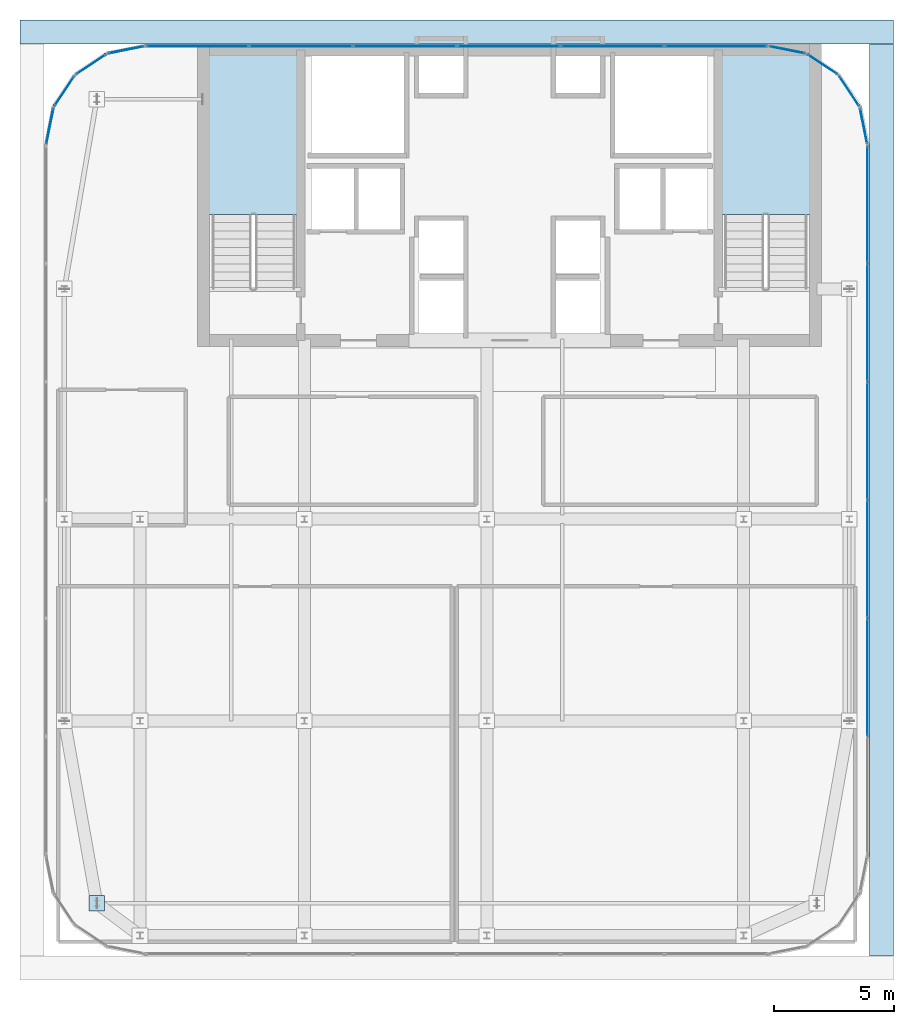
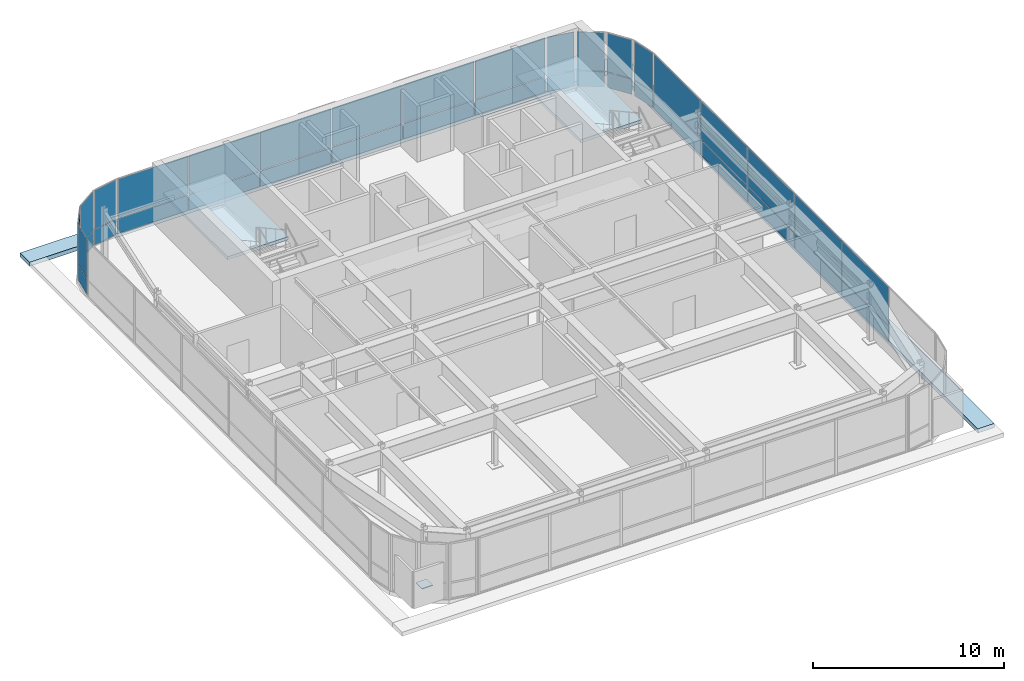
# One storey, part 28 of 35: 39 plates, 4 slabs, 12 elements without a shape of their own.
"""IFC4 building model written with IfcOpenShell, lengths in metres."""

from ifc_helpers import new_model, si_unit, direction, frame, origin, origin_2d, place, context, subcontext, project, spatial, polyline, rectangle, outline, extrude, source, transform, mapped, material, layer, layer_set, type_object, type_shapes, element, aggregate, save


model = new_model("IFC4")

# Units and contexts
model_context = context("Model", 3, precision=1e-05, world=origin(), true_north=direction((0.0, 1.0)))
body_context = subcontext(model_context, "Body", "Model", "MODEL_VIEW")
ifc_project = project(units=[si_unit("LENGTHUNIT", "METRE"), si_unit("AREAUNIT", "SQUARE_METRE"), si_unit("VOLUMEUNIT", "CUBIC_METRE"), si_unit("PLANEANGLEUNIT", "RADIAN"), si_unit("MASSUNIT", "GRAM", prefix="KILO")], contexts=[model_context])

# Site, building, storey
site_placement = place(None, origin())
site = spatial("IfcSite", under=ifc_project, at=site_placement, CompositionType="ELEMENT")
building_placement = place(site_placement, origin())
building = spatial("IfcBuilding", under=site, at=building_placement, Name="Tolvann Quenvar Hotel", CompositionType="ELEMENT")
storey_placement = place(building_placement, frame((0.0, 0.0, 290.949951171875)))
storey = spatial("IfcBuildingStorey", under=building, at=storey_placement, Name="L77", CompositionType="ELEMENT", Elevation=290.949951171875)

# Stair, slab
ifc_material_1 = material(Name="Concrete N40 (40 MPa)", Category="concrete")
stair_type = type_object("IfcStairType", Name="STAIR", PredefinedType="HALF_TURN_STAIR", material=ifc_material_1)
stair_1_placement = place(storey_placement, origin())
stair_1 = element("IfcStair", 1, at=stair_1_placement, inside=storey, type_object=stair_type, Name="L77 ST-C1", PredefinedType="HALF_TURN_STAIR")
ifc_layer_1 = layer(ifc_material_1, 0.199951171875)
ifc_layer_set_1 = layer_set([ifc_layer_1], Name="Concrete N40 (40 MPa)")
slab_type_1 = type_object("IfcSlabType", Name="SLAB_LANDING", PredefinedType="LANDING", material=ifc_layer_set_1)
slab_1_placement = place(storey_placement, frame((0.0, 0.0, 1.699951171875)))
slab_1 = element("IfcSlab", 2, at=slab_1_placement, type_object=slab_type_1, Name="ST-C1 landing 1", PredefinedType="LANDING", context=body_context, shape_type="SweptSolid", body=[
    extrude(outline(polyline([(14.179931640625, 37.10498046875), (14.179931640625, 43.8798828125), (10.469970703125, 43.8798828125), (10.469970703125, 37.10498046875), (14.179931640625, 37.10498046875)])), origin(), (0.0, 0.0, 1.0), 0.2001953125),
])
aggregate(stair_1, [slab_1])

stair_2_placement = place(storey_placement, origin())
stair_2 = element("IfcStair", 3, at=stair_2_placement, inside=storey, type_object=stair_type, Name="L77 ST-C2", PredefinedType="HALF_TURN_STAIR")
slab_2_placement = place(storey_placement, frame((0.0, 0.0, 1.699951171875)))
slab_2 = element("IfcSlab", 4, at=slab_2_placement, type_object=slab_type_1, Name="ST-C2 landing 1", PredefinedType="LANDING", context=body_context, shape_type="SweptSolid", body=[
    extrude(outline(polyline([(35.530029296875, 37.10498046875), (35.530029296875, 43.8798828125), (31.820068359375, 43.8798828125), (31.820068359375, 37.10498046875), (35.530029296875, 37.10498046875)])), origin(), (0.0, 0.0, 1.0), 0.2001953125),
])
aggregate(stair_2, [slab_2])

# Slabs
ifc_material_2 = material(Name="Concrete N50 (50 MPa)", Category="concrete")
ifc_layer_2 = layer(ifc_material_2, 0.260009765625)
ifc_layer_set_2 = layer_set([ifc_layer_2], Name="Concrete N50 (50 MPa)")
slab_type_2 = type_object("IfcSlabType", Name="SLAB_TER_260", PredefinedType="ROOF", material=ifc_layer_set_2)
slab_3_placement = place(storey_placement, frame((0.0, 0.0, -0.260009765625)))
element("IfcSlab", 5, at=slab_3_placement, inside=storey, type_object=slab_type_2, Name="Step-in Roof Cap (ROOF-L77-N)", PredefinedType="ROOF", context=body_context, shape_type="SweptSolid", body=[
    extrude(outline(polyline([(2.60009765625, 44.199951171875), (39.0, 44.199951171875), (39.0, 45.199951171875), (2.60009765625, 45.199951171875), (2.60009765625, 44.199951171875)])), origin(), (0.0, 0.0, 1.0), 0.260009765625),
])
slab_4_placement = place(storey_placement, frame((0.0, 0.0, -0.260009765625)))
element("IfcSlab", 6, at=slab_4_placement, inside=storey, type_object=slab_type_2, Name="Step-in Roof Cap (ROOF-L77-E)", PredefinedType="ROOF", context=body_context, shape_type="SweptSolid", body=[
    extrude(outline(polyline([(38.0, 6.199951171875), (39.0, 6.199951171875), (39.0, 44.199951171875), (38.0, 44.199951171875), (38.0, 6.199951171875)])), origin(), (0.0, 0.0, 1.0), 0.260009765625),
])

# Plate
ifc_material_3 = material(Name="Steel Grade 350", Category="steel")
ifc_layer_3 = layer(ifc_material_3, 0.050048828125)
ifc_layer_set_3 = layer_set([ifc_layer_3], Name="Steel Grade 350")
plate_type_1 = type_object("IfcPlateType", Name="PLT_BASE_50", PredefinedType="SHEET", material=ifc_layer_set_3)
shared_shape_1 = source(origin(), body_context, "Body", "SweptSolid", [
    extrude(rectangle(XDim=0.64990234375, YDim=0.64990234375, at=origin_2d()), origin(), (0.0, 0.0, 1.0), 0.050048828125),
])
type_shapes(plate_type_1, [shared_shape_1])
plate_1_placement = place(storey_placement, frame((5.800048828125, 8.39990234375, 0.0), z_axis=(0.0, 0.0, 1.0), x_axis=(1.0, 0.0, 0.0)))
element("IfcPlate", 7, at=plate_1_placement, inside=storey, type_object=plate_type_1, Name="Crown Frame Base Plate B2", PredefinedType="SHEET", context=body_context, shape_type="MappedRepresentation", body=[
    mapped(shared_shape_1, transform((0.0, 0.0, 0.0), x_axis=(1.0, 0.0, 0.0), y_axis=(0.0, 1.0, 0.0), z_axis=(0.0, 0.0, 1.0), scale=1.0)),
])

# Curtain wall, plate
ifc_material_4 = material(Name="Thermally broken anodised architectural aluminium 6063-T6 and laminated low-E glass", Category="aluminium")
ifc_layer_4 = layer(ifc_material_4, 0.179931640625)
ifc_layer_set_4 = layer_set([ifc_layer_4], Name="Thermally broken anodised architectural aluminium 6063-T6 and laminated low-E glass")
curtain_wall_type = type_object("IfcCurtainWallType", Name="CW_SYS_LANT_06", PredefinedType="USERDEFINED", material=ifc_layer_set_4)
curtain_wall_1_placement = place(storey_placement, origin())
curtain_wall_1 = element("IfcCurtainWall", 8, at=curtain_wall_1_placement, inside=storey, type_object=curtain_wall_type, Name="Curtain Wall CW-LANT-06 (CWR-L77-E11)", ObjectType="UNITISED CURTAIN WALL", PredefinedType="USERDEFINED")
ifc_material_5 = material(Name="Diffused translucent ceramic-frit laminated lantern glass", Category="glass")
ifc_layer_5 = layer(ifc_material_5, 0.031982421875)
ifc_layer_set_5 = layer_set([ifc_layer_5], Name="Diffused translucent ceramic-frit laminated lantern glass")
plate_type_2 = type_object("IfcPlateType", Name="CW_PAN_LANT_32", PredefinedType="CURTAIN_PANEL", material=ifc_layer_set_5)
shared_shape_2 = source(origin(), body_context, "Body", "SweptSolid", [
    extrude(rectangle(XDim=1.439208984375, YDim=0.031982421875, at=origin_2d()), origin(), (0.0, 0.0, 1.0), 0.97509765625),
])
plate_2_placement = place(storey_placement, frame((37.150146484375, 42.238525390625, 0.050048828125), z_axis=(0.0, 0.0, 1.0), x_axis=(-0.555655769644, 0.831412452193, 0.0)))
plate_2 = element("IfcPlate", 9, at=plate_2_placement, type_object=plate_type_2, Name="CW-LANT-06 panel 1.1", PredefinedType="CURTAIN_PANEL", context=body_context, shape_type="MappedRepresentation", body=[
    mapped(shared_shape_2, transform((0.0, 0.0, 0.0), x_axis=(1.0, 0.0, 0.0), y_axis=(0.0, 1.0, 0.0), z_axis=(0.0, 0.0, 1.0), scale=1.0)),
])

curtain_wall_2_placement = place(storey_placement, origin())
curtain_wall_2 = element("IfcCurtainWall", 10, at=curtain_wall_2_placement, inside=storey, type_object=curtain_wall_type, Name="Curtain Wall CW-LANT-06 (CWR-L77-E12)", ObjectType="UNITISED CURTAIN WALL", PredefinedType="USERDEFINED")
plate_3_placement = place(storey_placement, frame((36.03857421875, 43.350341796875, 0.050048828125), z_axis=(0.0, 0.0, 1.0), x_axis=(-0.831412452193, 0.555655769644, 0.0)))
plate_3 = element("IfcPlate", 11, at=plate_3_placement, type_object=plate_type_2, Name="CW-LANT-06 panel 1.1", PredefinedType="CURTAIN_PANEL", context=body_context, shape_type="MappedRepresentation", body=[
    mapped(shared_shape_2, transform((0.0, 0.0, 0.0), x_axis=(1.0, 0.0, 0.0), y_axis=(0.0, 1.0, 0.0), z_axis=(0.0, 0.0, 1.0), scale=1.0)),
])

curtain_wall_3_placement = place(storey_placement, origin())
curtain_wall_3 = element("IfcCurtainWall", 12, at=curtain_wall_3_placement, inside=storey, type_object=curtain_wall_type, Name="Curtain Wall CW-LANT-06 (CWR-L77-E16)", ObjectType="UNITISED CURTAIN WALL", PredefinedType="USERDEFINED")
plate_4_placement = place(storey_placement, frame((5.5615234375, 43.350341796875, 0.050048828125), z_axis=(0.0, 0.0, 1.0), x_axis=(-0.831412452193, -0.555655769644, 0.0)))
plate_4 = element("IfcPlate", 13, at=plate_4_placement, type_object=plate_type_2, Name="CW-LANT-06 panel 1.1", PredefinedType="CURTAIN_PANEL", context=body_context, shape_type="MappedRepresentation", body=[
    mapped(shared_shape_2, transform((0.0, 0.0, 0.0), x_axis=(1.0, 0.0, 0.0), y_axis=(0.0, 1.0, 0.0), z_axis=(0.0, 0.0, 1.0), scale=1.0)),
])

curtain_wall_4_placement = place(storey_placement, origin())
curtain_wall_4 = element("IfcCurtainWall", 14, at=curtain_wall_4_placement, inside=storey, type_object=curtain_wall_type, Name="Curtain Wall CW-LANT-06 (CWR-L77-E17)", ObjectType="UNITISED CURTAIN WALL", PredefinedType="USERDEFINED")
plate_5_placement = place(storey_placement, frame((4.44970703125, 42.238525390625, 0.050048828125), z_axis=(0.0, 0.0, 1.0), x_axis=(-0.555655769644, -0.831412452193, 0.0)))
plate_5 = element("IfcPlate", 15, at=plate_5_placement, type_object=plate_type_2, Name="CW-LANT-06 panel 1.1", PredefinedType="CURTAIN_PANEL", context=body_context, shape_type="MappedRepresentation", body=[
    mapped(shared_shape_2, transform((0.0, 0.0, 0.0), x_axis=(1.0, 0.0, 0.0), y_axis=(0.0, 1.0, 0.0), z_axis=(0.0, 0.0, 1.0), scale=1.0)),
])

# Plate
shared_shape_3 = source(origin(), body_context, "Body", "SweptSolid", [
    extrude(rectangle(XDim=1.439208984375, YDim=0.031982421875, at=origin_2d()), origin(), (0.0, 0.0, 1.0), 2.455078125),
])
plate_6_placement = place(storey_placement, frame((37.150146484375, 42.238525390625, 1.074951171875), z_axis=(0.0, 0.0, 1.0), x_axis=(-0.555655769644, 0.831412452193, 0.0)))
plate_6 = element("IfcPlate", 16, at=plate_6_placement, type_object=plate_type_2, Name="CW-LANT-06 panel 1.2", PredefinedType="CURTAIN_PANEL", context=body_context, shape_type="MappedRepresentation", body=[
    mapped(shared_shape_3, transform((0.0, 0.0, 0.0), x_axis=(1.0, 0.0, 0.0), y_axis=(0.0, 1.0, 0.0), z_axis=(0.0, 0.0, 1.0), scale=1.0)),
])

aggregate(curtain_wall_1, [plate_2, plate_6])

plate_7_placement = place(storey_placement, frame((36.03857421875, 43.350341796875, 1.074951171875), z_axis=(0.0, 0.0, 1.0), x_axis=(-0.831412452193, 0.555655769644, 0.0)))
plate_7 = element("IfcPlate", 17, at=plate_7_placement, type_object=plate_type_2, Name="CW-LANT-06 panel 1.2", PredefinedType="CURTAIN_PANEL", context=body_context, shape_type="MappedRepresentation", body=[
    mapped(shared_shape_3, transform((0.0, 0.0, 0.0), x_axis=(1.0, 0.0, 0.0), y_axis=(0.0, 1.0, 0.0), z_axis=(0.0, 0.0, 1.0), scale=1.0)),
])

aggregate(curtain_wall_2, [plate_3, plate_7])

plate_8_placement = place(storey_placement, frame((5.5615234375, 43.350341796875, 1.074951171875), z_axis=(0.0, 0.0, 1.0), x_axis=(-0.831412452193, -0.555655769644, 0.0)))
plate_8 = element("IfcPlate", 18, at=plate_8_placement, type_object=plate_type_2, Name="CW-LANT-06 panel 1.2", PredefinedType="CURTAIN_PANEL", context=body_context, shape_type="MappedRepresentation", body=[
    mapped(shared_shape_3, transform((0.0, 0.0, 0.0), x_axis=(1.0, 0.0, 0.0), y_axis=(0.0, 1.0, 0.0), z_axis=(0.0, 0.0, 1.0), scale=1.0)),
])

aggregate(curtain_wall_3, [plate_4, plate_8])

plate_9_placement = place(storey_placement, frame((4.44970703125, 42.238525390625, 1.074951171875), z_axis=(0.0, 0.0, 1.0), x_axis=(-0.555655769644, -0.831412452193, 0.0)))
plate_9 = element("IfcPlate", 19, at=plate_9_placement, type_object=plate_type_2, Name="CW-LANT-06 panel 1.2", PredefinedType="CURTAIN_PANEL", context=body_context, shape_type="MappedRepresentation", body=[
    mapped(shared_shape_3, transform((0.0, 0.0, 0.0), x_axis=(1.0, 0.0, 0.0), y_axis=(0.0, 1.0, 0.0), z_axis=(0.0, 0.0, 1.0), scale=1.0)),
])

aggregate(curtain_wall_4, [plate_5, plate_9])

# Curtain wall, plate
curtain_wall_5_placement = place(storey_placement, origin())
curtain_wall_5 = element("IfcCurtainWall", 20, at=curtain_wall_5_placement, inside=storey, type_object=curtain_wall_type, Name="Curtain Wall CW-LANT-06 (CWR-L77-E10)", ObjectType="UNITISED CURTAIN WALL", PredefinedType="USERDEFINED")
shared_shape_4 = source(origin(), body_context, "Body", "SweptSolid", [
    extrude(rectangle(XDim=1.456787109375, YDim=0.031982421875, at=origin_2d()), origin(), (0.0, 0.0, 1.0), 0.97509765625),
])
plate_10_placement = place(storey_placement, frame((37.753662109375, 40.777587890625, 0.050048828125), z_axis=(0.0, 0.0, 1.0), x_axis=(-0.195061569369, 0.980790999222, 0.0)))
plate_10 = element("IfcPlate", 21, at=plate_10_placement, type_object=plate_type_2, Name="CW-LANT-06 panel 1.1", PredefinedType="CURTAIN_PANEL", context=body_context, shape_type="MappedRepresentation", body=[
    mapped(shared_shape_4, transform((0.0, 0.0, 0.0), x_axis=(1.0, 0.0, 0.0), y_axis=(0.0, 1.0, 0.0), z_axis=(0.0, 0.0, 1.0), scale=1.0)),
])

curtain_wall_6_placement = place(storey_placement, origin())
curtain_wall_6 = element("IfcCurtainWall", 22, at=curtain_wall_6_placement, inside=storey, type_object=curtain_wall_type, Name="Curtain Wall CW-LANT-06 (CWR-L77-E13)", ObjectType="UNITISED CURTAIN WALL", PredefinedType="USERDEFINED")
plate_11_placement = place(storey_placement, frame((34.577392578125, 43.95361328125, 0.050048828125), z_axis=(0.0, 0.0, 1.0), x_axis=(-0.980790999222, 0.195061569369, 0.0)))
plate_11 = element("IfcPlate", 23, at=plate_11_placement, type_object=plate_type_2, Name="CW-LANT-06 panel 1.1", PredefinedType="CURTAIN_PANEL", context=body_context, shape_type="MappedRepresentation", body=[
    mapped(shared_shape_4, transform((0.0, 0.0, 0.0), x_axis=(1.0, 0.0, 0.0), y_axis=(0.0, 1.0, 0.0), z_axis=(0.0, 0.0, 1.0), scale=1.0)),
])

curtain_wall_7_placement = place(storey_placement, origin())
curtain_wall_7 = element("IfcCurtainWall", 24, at=curtain_wall_7_placement, inside=storey, type_object=curtain_wall_type, Name="Curtain Wall CW-LANT-06 (CWR-L77-E15)", ObjectType="UNITISED CURTAIN WALL", PredefinedType="USERDEFINED")
plate_12_placement = place(storey_placement, frame((7.0224609375, 43.95361328125, 0.050048828125), z_axis=(0.0, 0.0, 1.0), x_axis=(-0.980790999222, -0.195061569369, 0.0)))
plate_12 = element("IfcPlate", 25, at=plate_12_placement, type_object=plate_type_2, Name="CW-LANT-06 panel 1.1", PredefinedType="CURTAIN_PANEL", context=body_context, shape_type="MappedRepresentation", body=[
    mapped(shared_shape_4, transform((0.0, 0.0, 0.0), x_axis=(1.0, 0.0, 0.0), y_axis=(0.0, 1.0, 0.0), z_axis=(0.0, 0.0, 1.0), scale=1.0)),
])

curtain_wall_8_placement = place(storey_placement, origin())
curtain_wall_8 = element("IfcCurtainWall", 26, at=curtain_wall_8_placement, inside=storey, type_object=curtain_wall_type, Name="Curtain Wall CW-LANT-06 (CWR-L77-E18)", ObjectType="UNITISED CURTAIN WALL", PredefinedType="USERDEFINED")
plate_13_placement = place(storey_placement, frame((3.846435546875, 40.777587890625, 0.050048828125), z_axis=(0.0, 0.0, 1.0), x_axis=(-0.195061569369, -0.980790999222, 0.0)))
plate_13 = element("IfcPlate", 27, at=plate_13_placement, type_object=plate_type_2, Name="CW-LANT-06 panel 1.1", PredefinedType="CURTAIN_PANEL", context=body_context, shape_type="MappedRepresentation", body=[
    mapped(shared_shape_4, transform((0.0, 0.0, 0.0), x_axis=(1.0, 0.0, 0.0), y_axis=(0.0, 1.0, 0.0), z_axis=(0.0, 0.0, 1.0), scale=1.0)),
])

# Plate
shared_shape_5 = source(origin(), body_context, "Body", "SweptSolid", [
    extrude(rectangle(XDim=1.456787109375, YDim=0.031982421875, at=origin_2d()), origin(), (0.0, 0.0, 1.0), 2.455078125),
])
plate_14_placement = place(storey_placement, frame((37.753662109375, 40.777587890625, 1.074951171875), z_axis=(0.0, 0.0, 1.0), x_axis=(-0.195061569369, 0.980790999222, 0.0)))
plate_14 = element("IfcPlate", 28, at=plate_14_placement, type_object=plate_type_2, Name="CW-LANT-06 panel 1.2", PredefinedType="CURTAIN_PANEL", context=body_context, shape_type="MappedRepresentation", body=[
    mapped(shared_shape_5, transform((0.0, 0.0, 0.0), x_axis=(1.0, 0.0, 0.0), y_axis=(0.0, 1.0, 0.0), z_axis=(0.0, 0.0, 1.0), scale=1.0)),
])

aggregate(curtain_wall_5, [plate_10, plate_14])

plate_15_placement = place(storey_placement, frame((34.577392578125, 43.95361328125, 1.074951171875), z_axis=(0.0, 0.0, 1.0), x_axis=(-0.980790999222, 0.195061569369, 0.0)))
plate_15 = element("IfcPlate", 29, at=plate_15_placement, type_object=plate_type_2, Name="CW-LANT-06 panel 1.2", PredefinedType="CURTAIN_PANEL", context=body_context, shape_type="MappedRepresentation", body=[
    mapped(shared_shape_5, transform((0.0, 0.0, 0.0), x_axis=(1.0, 0.0, 0.0), y_axis=(0.0, 1.0, 0.0), z_axis=(0.0, 0.0, 1.0), scale=1.0)),
])

aggregate(curtain_wall_6, [plate_11, plate_15])

plate_16_placement = place(storey_placement, frame((7.0224609375, 43.95361328125, 1.074951171875), z_axis=(0.0, 0.0, 1.0), x_axis=(-0.980790999222, -0.195061569369, 0.0)))
plate_16 = element("IfcPlate", 30, at=plate_16_placement, type_object=plate_type_2, Name="CW-LANT-06 panel 1.2", PredefinedType="CURTAIN_PANEL", context=body_context, shape_type="MappedRepresentation", body=[
    mapped(shared_shape_5, transform((0.0, 0.0, 0.0), x_axis=(1.0, 0.0, 0.0), y_axis=(0.0, 1.0, 0.0), z_axis=(0.0, 0.0, 1.0), scale=1.0)),
])

aggregate(curtain_wall_7, [plate_12, plate_16])

plate_17_placement = place(storey_placement, frame((3.846435546875, 40.777587890625, 1.074951171875), z_axis=(0.0, 0.0, 1.0), x_axis=(-0.195061569369, -0.980790999222, 0.0)))
plate_17 = element("IfcPlate", 31, at=plate_17_placement, type_object=plate_type_2, Name="CW-LANT-06 panel 1.2", PredefinedType="CURTAIN_PANEL", context=body_context, shape_type="MappedRepresentation", body=[
    mapped(shared_shape_5, transform((0.0, 0.0, 0.0), x_axis=(1.0, 0.0, 0.0), y_axis=(0.0, 1.0, 0.0), z_axis=(0.0, 0.0, 1.0), scale=1.0)),
])

aggregate(curtain_wall_8, [plate_13, plate_17])

# Curtain wall, plates
curtain_wall_9_placement = place(storey_placement, origin())
curtain_wall_9 = element("IfcCurtainWall", 32, at=curtain_wall_9_placement, inside=storey, type_object=curtain_wall_type, Name="Curtain Wall CW-LANT-06 (CWR-L77-E14)", ObjectType="UNITISED CURTAIN WALL", PredefinedType="USERDEFINED")
shared_shape_6 = source(origin(), body_context, "Body", "SweptSolid", [
    extrude(rectangle(XDim=4.22998046875, YDim=0.031982421875, at=origin_2d()), origin(), (0.0, 0.0, 1.0), 0.97509765625),
])
plate_18_placement = place(storey_placement, frame((31.602783203125, 44.110107421875, 0.050048828125), z_axis=(0.0, 0.0, 1.0), x_axis=(-1.0, 0.0, 0.0)))
plate_18 = element("IfcPlate", 33, at=plate_18_placement, type_object=plate_type_2, Name="CW-LANT-06 panel 1.1", PredefinedType="CURTAIN_PANEL", context=body_context, shape_type="MappedRepresentation", body=[
    mapped(shared_shape_6, transform((0.0, 0.0, 0.0), x_axis=(1.0, 0.0, 0.0), y_axis=(0.0, 1.0, 0.0), z_axis=(0.0, 0.0, 1.0), scale=1.0)),
])
plate_19_placement = place(storey_placement, frame((9.997314453125, 44.110107421875, 0.050048828125), z_axis=(0.0, 0.0, 1.0), x_axis=(-1.0, 0.0, 0.0)))
plate_19 = element("IfcPlate", 34, at=plate_19_placement, type_object=plate_type_2, Name="CW-LANT-06 panel 6.1", PredefinedType="CURTAIN_PANEL", context=body_context, shape_type="MappedRepresentation", body=[
    mapped(shared_shape_6, transform((0.0, 0.0, 0.0), x_axis=(1.0, 0.0, 0.0), y_axis=(0.0, 1.0, 0.0), z_axis=(0.0, 0.0, 1.0), scale=1.0)),
])
shared_shape_7 = source(origin(), body_context, "Body", "SweptSolid", [
    extrude(rectangle(XDim=4.22998046875, YDim=0.031982421875, at=origin_2d()), origin(), (0.0, 0.0, 1.0), 2.455078125),
])
plate_20_placement = place(storey_placement, frame((31.602783203125, 44.110107421875, 1.074951171875), z_axis=(0.0, 0.0, 1.0), x_axis=(-1.0, 0.0, 0.0)))
plate_20 = element("IfcPlate", 35, at=plate_20_placement, type_object=plate_type_2, Name="CW-LANT-06 panel 1.2", PredefinedType="CURTAIN_PANEL", context=body_context, shape_type="MappedRepresentation", body=[
    mapped(shared_shape_7, transform((0.0, 0.0, 0.0), x_axis=(1.0, 0.0, 0.0), y_axis=(0.0, 1.0, 0.0), z_axis=(0.0, 0.0, 1.0), scale=1.0)),
])
plate_21_placement = place(storey_placement, frame((9.997314453125, 44.110107421875, 1.074951171875), z_axis=(0.0, 0.0, 1.0), x_axis=(-1.0, 0.0, 0.0)))
plate_21 = element("IfcPlate", 36, at=plate_21_placement, type_object=plate_type_2, Name="CW-LANT-06 panel 6.2", PredefinedType="CURTAIN_PANEL", context=body_context, shape_type="MappedRepresentation", body=[
    mapped(shared_shape_7, transform((0.0, 0.0, 0.0), x_axis=(1.0, 0.0, 0.0), y_axis=(0.0, 1.0, 0.0), z_axis=(0.0, 0.0, 1.0), scale=1.0)),
])
shared_shape_8 = source(origin(), body_context, "Body", "SweptSolid", [
    extrude(rectangle(XDim=4.2626953125, YDim=0.031982421875, at=origin_2d()), origin(), (0.0, 0.0, 1.0), 0.97509765625),
])
plate_22_placement = place(storey_placement, frame((27.29150390625, 44.110107421875, 0.050048828125), z_axis=(0.0, 0.0, 1.0), x_axis=(-1.0, 0.0, 0.0)))
plate_22 = element("IfcPlate", 37, at=plate_22_placement, type_object=plate_type_2, Name="CW-LANT-06 panel 2.1", PredefinedType="CURTAIN_PANEL", context=body_context, shape_type="MappedRepresentation", body=[
    mapped(shared_shape_8, transform((0.0, 0.0, 0.0), x_axis=(1.0, 0.0, 0.0), y_axis=(0.0, 1.0, 0.0), z_axis=(0.0, 0.0, 1.0), scale=1.0)),
])
plate_23_placement = place(storey_placement, frame((22.9638671875, 44.110107421875, 0.050048828125), z_axis=(0.0, 0.0, 1.0), x_axis=(-1.0, 0.0, 0.0)))
plate_23 = element("IfcPlate", 38, at=plate_23_placement, type_object=plate_type_2, Name="CW-LANT-06 panel 3.1", PredefinedType="CURTAIN_PANEL", context=body_context, shape_type="MappedRepresentation", body=[
    mapped(shared_shape_8, transform((0.0, 0.0, 0.0), x_axis=(1.0, 0.0, 0.0), y_axis=(0.0, 1.0, 0.0), z_axis=(0.0, 0.0, 1.0), scale=1.0)),
])
plate_24_placement = place(storey_placement, frame((18.63623046875, 44.110107421875, 0.050048828125), z_axis=(0.0, 0.0, 1.0), x_axis=(-1.0, 0.0, 0.0)))
plate_24 = element("IfcPlate", 39, at=plate_24_placement, type_object=plate_type_2, Name="CW-LANT-06 panel 4.1", PredefinedType="CURTAIN_PANEL", context=body_context, shape_type="MappedRepresentation", body=[
    mapped(shared_shape_8, transform((0.0, 0.0, 0.0), x_axis=(1.0, 0.0, 0.0), y_axis=(0.0, 1.0, 0.0), z_axis=(0.0, 0.0, 1.0), scale=1.0)),
])
plate_25_placement = place(storey_placement, frame((14.30859375, 44.110107421875, 0.050048828125), z_axis=(0.0, 0.0, 1.0), x_axis=(-1.0, 0.0, 0.0)))
plate_25 = element("IfcPlate", 40, at=plate_25_placement, type_object=plate_type_2, Name="CW-LANT-06 panel 5.1", PredefinedType="CURTAIN_PANEL", context=body_context, shape_type="MappedRepresentation", body=[
    mapped(shared_shape_8, transform((0.0, 0.0, 0.0), x_axis=(1.0, 0.0, 0.0), y_axis=(0.0, 1.0, 0.0), z_axis=(0.0, 0.0, 1.0), scale=1.0)),
])
shared_shape_9 = source(origin(), body_context, "Body", "SweptSolid", [
    extrude(rectangle(XDim=4.2626953125, YDim=0.031982421875, at=origin_2d()), origin(), (0.0, 0.0, 1.0), 2.455078125),
])
plate_26_placement = place(storey_placement, frame((27.29150390625, 44.110107421875, 1.074951171875), z_axis=(0.0, 0.0, 1.0), x_axis=(-1.0, 0.0, 0.0)))
plate_26 = element("IfcPlate", 41, at=plate_26_placement, type_object=plate_type_2, Name="CW-LANT-06 panel 2.2", PredefinedType="CURTAIN_PANEL", context=body_context, shape_type="MappedRepresentation", body=[
    mapped(shared_shape_9, transform((0.0, 0.0, 0.0), x_axis=(1.0, 0.0, 0.0), y_axis=(0.0, 1.0, 0.0), z_axis=(0.0, 0.0, 1.0), scale=1.0)),
])
plate_27_placement = place(storey_placement, frame((22.9638671875, 44.110107421875, 1.074951171875), z_axis=(0.0, 0.0, 1.0), x_axis=(-1.0, 0.0, 0.0)))
plate_27 = element("IfcPlate", 42, at=plate_27_placement, type_object=plate_type_2, Name="CW-LANT-06 panel 3.2", PredefinedType="CURTAIN_PANEL", context=body_context, shape_type="MappedRepresentation", body=[
    mapped(shared_shape_9, transform((0.0, 0.0, 0.0), x_axis=(1.0, 0.0, 0.0), y_axis=(0.0, 1.0, 0.0), z_axis=(0.0, 0.0, 1.0), scale=1.0)),
])
plate_28_placement = place(storey_placement, frame((18.63623046875, 44.110107421875, 1.074951171875), z_axis=(0.0, 0.0, 1.0), x_axis=(-1.0, 0.0, 0.0)))
plate_28 = element("IfcPlate", 43, at=plate_28_placement, type_object=plate_type_2, Name="CW-LANT-06 panel 4.2", PredefinedType="CURTAIN_PANEL", context=body_context, shape_type="MappedRepresentation", body=[
    mapped(shared_shape_9, transform((0.0, 0.0, 0.0), x_axis=(1.0, 0.0, 0.0), y_axis=(0.0, 1.0, 0.0), z_axis=(0.0, 0.0, 1.0), scale=1.0)),
])
plate_29_placement = place(storey_placement, frame((14.30859375, 44.110107421875, 1.074951171875), z_axis=(0.0, 0.0, 1.0), x_axis=(-1.0, 0.0, 0.0)))
plate_29 = element("IfcPlate", 44, at=plate_29_placement, type_object=plate_type_2, Name="CW-LANT-06 panel 5.2", PredefinedType="CURTAIN_PANEL", context=body_context, shape_type="MappedRepresentation", body=[
    mapped(shared_shape_9, transform((0.0, 0.0, 0.0), x_axis=(1.0, 0.0, 0.0), y_axis=(0.0, 1.0, 0.0), z_axis=(0.0, 0.0, 1.0), scale=1.0)),
])
aggregate(curtain_wall_9, [plate_18, plate_20, plate_22, plate_26, plate_23, plate_27, plate_24, plate_28, plate_25, plate_29, plate_19, plate_21])

curtain_wall_10_placement = place(storey_placement, origin())
curtain_wall_10 = element("IfcCurtainWall", 45, at=curtain_wall_10_placement, inside=storey, type_object=curtain_wall_type, Name="Curtain Wall CW-LANT-06 (CWR-L77-E09)", ObjectType="UNITISED CURTAIN WALL", PredefinedType="USERDEFINED")
shared_shape_10 = source(origin(), body_context, "Body", "SweptSolid", [
    extrude(rectangle(XDim=4.830078125, YDim=0.031982421875, at=origin_2d()), origin(), (0.0, 0.0, 1.0), 0.97509765625),
])
plate_30_placement = place(storey_placement, frame((37.909912109375, 37.502685546875, 0.050048828125), z_axis=(0.0, 0.0, 1.0), x_axis=(0.0, 1.0, 0.0)))
plate_30 = element("IfcPlate", 46, at=plate_30_placement, type_object=plate_type_2, Name="CW-LANT-06 panel 6.1", PredefinedType="CURTAIN_PANEL", context=body_context, shape_type="MappedRepresentation", body=[
    mapped(shared_shape_10, transform((0.0, 0.0, 0.0), x_axis=(1.0, 0.0, 0.0), y_axis=(0.0, 1.0, 0.0), z_axis=(0.0, 0.0, 1.0), scale=1.0)),
])
shared_shape_11 = source(origin(), body_context, "Body", "SweptSolid", [
    extrude(rectangle(XDim=4.830078125, YDim=0.031982421875, at=origin_2d()), origin(), (0.0, 0.0, 1.0), 2.455078125),
])
plate_31_placement = place(storey_placement, frame((37.909912109375, 37.502685546875, 1.074951171875), z_axis=(0.0, 0.0, 1.0), x_axis=(0.0, 1.0, 0.0)))
plate_31 = element("IfcPlate", 47, at=plate_31_placement, type_object=plate_type_2, Name="CW-LANT-06 panel 6.2", PredefinedType="CURTAIN_PANEL", context=body_context, shape_type="MappedRepresentation", body=[
    mapped(shared_shape_11, transform((0.0, 0.0, 0.0), x_axis=(1.0, 0.0, 0.0), y_axis=(0.0, 1.0, 0.0), z_axis=(0.0, 0.0, 1.0), scale=1.0)),
])
shared_shape_12 = source(origin(), body_context, "Body", "SweptSolid", [
    extrude(rectangle(XDim=4.862548828125, YDim=0.031982421875, at=origin_2d()), origin(), (0.0, 0.0, 1.0), 0.97509765625),
])
plate_32_placement = place(storey_placement, frame((37.909912109375, 17.80859375, 0.050048828125), z_axis=(0.0, 0.0, 1.0), x_axis=(0.0, 1.0, 0.0)))
plate_32 = element("IfcPlate", 48, at=plate_32_placement, type_object=plate_type_2, Name="CW-LANT-06 panel 2.1", PredefinedType="CURTAIN_PANEL", context=body_context, shape_type="MappedRepresentation", body=[
    mapped(shared_shape_12, transform((0.0, 0.0, 0.0), x_axis=(1.0, 0.0, 0.0), y_axis=(0.0, 1.0, 0.0), z_axis=(0.0, 0.0, 1.0), scale=1.0)),
])
plate_33_placement = place(storey_placement, frame((37.909912109375, 22.736083984375, 0.050048828125), z_axis=(0.0, 0.0, 1.0), x_axis=(0.0, 1.0, 0.0)))
plate_33 = element("IfcPlate", 49, at=plate_33_placement, type_object=plate_type_2, Name="CW-LANT-06 panel 3.1", PredefinedType="CURTAIN_PANEL", context=body_context, shape_type="MappedRepresentation", body=[
    mapped(shared_shape_12, transform((0.0, 0.0, 0.0), x_axis=(1.0, 0.0, 0.0), y_axis=(0.0, 1.0, 0.0), z_axis=(0.0, 0.0, 1.0), scale=1.0)),
])
plate_34_placement = place(storey_placement, frame((37.909912109375, 27.663818359375, 0.050048828125), z_axis=(0.0, 0.0, 1.0), x_axis=(0.0, 1.0, 0.0)))
plate_34 = element("IfcPlate", 50, at=plate_34_placement, type_object=plate_type_2, Name="CW-LANT-06 panel 4.1", PredefinedType="CURTAIN_PANEL", context=body_context, shape_type="MappedRepresentation", body=[
    mapped(shared_shape_12, transform((0.0, 0.0, 0.0), x_axis=(1.0, 0.0, 0.0), y_axis=(0.0, 1.0, 0.0), z_axis=(0.0, 0.0, 1.0), scale=1.0)),
])
plate_35_placement = place(storey_placement, frame((37.909912109375, 32.59130859375, 0.050048828125), z_axis=(0.0, 0.0, 1.0), x_axis=(0.0, 1.0, 0.0)))
plate_35 = element("IfcPlate", 51, at=plate_35_placement, type_object=plate_type_2, Name="CW-LANT-06 panel 5.1", PredefinedType="CURTAIN_PANEL", context=body_context, shape_type="MappedRepresentation", body=[
    mapped(shared_shape_12, transform((0.0, 0.0, 0.0), x_axis=(1.0, 0.0, 0.0), y_axis=(0.0, 1.0, 0.0), z_axis=(0.0, 0.0, 1.0), scale=1.0)),
])
shared_shape_13 = source(origin(), body_context, "Body", "SweptSolid", [
    extrude(rectangle(XDim=4.862548828125, YDim=0.031982421875, at=origin_2d()), origin(), (0.0, 0.0, 1.0), 2.455078125),
])
type_shapes(plate_type_2, [shared_shape_2, shared_shape_3, shared_shape_4, shared_shape_5, shared_shape_6, shared_shape_7, shared_shape_8, shared_shape_9, shared_shape_10, shared_shape_11, shared_shape_12, shared_shape_13])
plate_36_placement = place(storey_placement, frame((37.909912109375, 17.80859375, 1.074951171875), z_axis=(0.0, 0.0, 1.0), x_axis=(0.0, 1.0, 0.0)))
plate_36 = element("IfcPlate", 52, at=plate_36_placement, type_object=plate_type_2, Name="CW-LANT-06 panel 2.2", PredefinedType="CURTAIN_PANEL", context=body_context, shape_type="MappedRepresentation", body=[
    mapped(shared_shape_13, transform((0.0, 0.0, 0.0), x_axis=(1.0, 0.0, 0.0), y_axis=(0.0, 1.0, 0.0), z_axis=(0.0, 0.0, 1.0), scale=1.0)),
])
plate_37_placement = place(storey_placement, frame((37.909912109375, 22.736083984375, 1.074951171875), z_axis=(0.0, 0.0, 1.0), x_axis=(0.0, 1.0, 0.0)))
plate_37 = element("IfcPlate", 53, at=plate_37_placement, type_object=plate_type_2, Name="CW-LANT-06 panel 3.2", PredefinedType="CURTAIN_PANEL", context=body_context, shape_type="MappedRepresentation", body=[
    mapped(shared_shape_13, transform((0.0, 0.0, 0.0), x_axis=(1.0, 0.0, 0.0), y_axis=(0.0, 1.0, 0.0), z_axis=(0.0, 0.0, 1.0), scale=1.0)),
])
plate_38_placement = place(storey_placement, frame((37.909912109375, 27.663818359375, 1.074951171875), z_axis=(0.0, 0.0, 1.0), x_axis=(0.0, 1.0, 0.0)))
plate_38 = element("IfcPlate", 54, at=plate_38_placement, type_object=plate_type_2, Name="CW-LANT-06 panel 4.2", PredefinedType="CURTAIN_PANEL", context=body_context, shape_type="MappedRepresentation", body=[
    mapped(shared_shape_13, transform((0.0, 0.0, 0.0), x_axis=(1.0, 0.0, 0.0), y_axis=(0.0, 1.0, 0.0), z_axis=(0.0, 0.0, 1.0), scale=1.0)),
])
plate_39_placement = place(storey_placement, frame((37.909912109375, 32.59130859375, 1.074951171875), z_axis=(0.0, 0.0, 1.0), x_axis=(0.0, 1.0, 0.0)))
plate_39 = element("IfcPlate", 55, at=plate_39_placement, type_object=plate_type_2, Name="CW-LANT-06 panel 5.2", PredefinedType="CURTAIN_PANEL", context=body_context, shape_type="MappedRepresentation", body=[
    mapped(shared_shape_13, transform((0.0, 0.0, 0.0), x_axis=(1.0, 0.0, 0.0), y_axis=(0.0, 1.0, 0.0), z_axis=(0.0, 0.0, 1.0), scale=1.0)),
])
aggregate(curtain_wall_10, [plate_32, plate_36, plate_33, plate_37, plate_34, plate_38, plate_35, plate_39, plate_30, plate_31])

save(model, "model.ifc")
